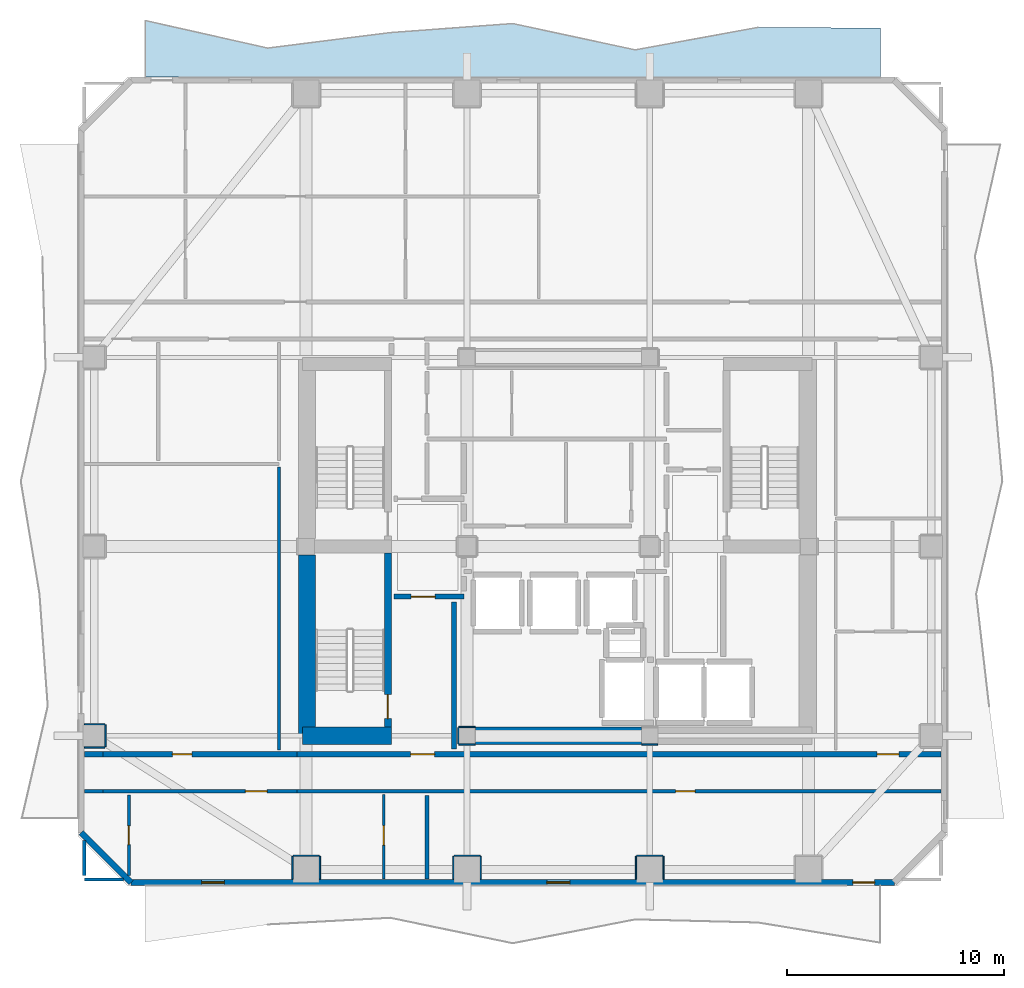
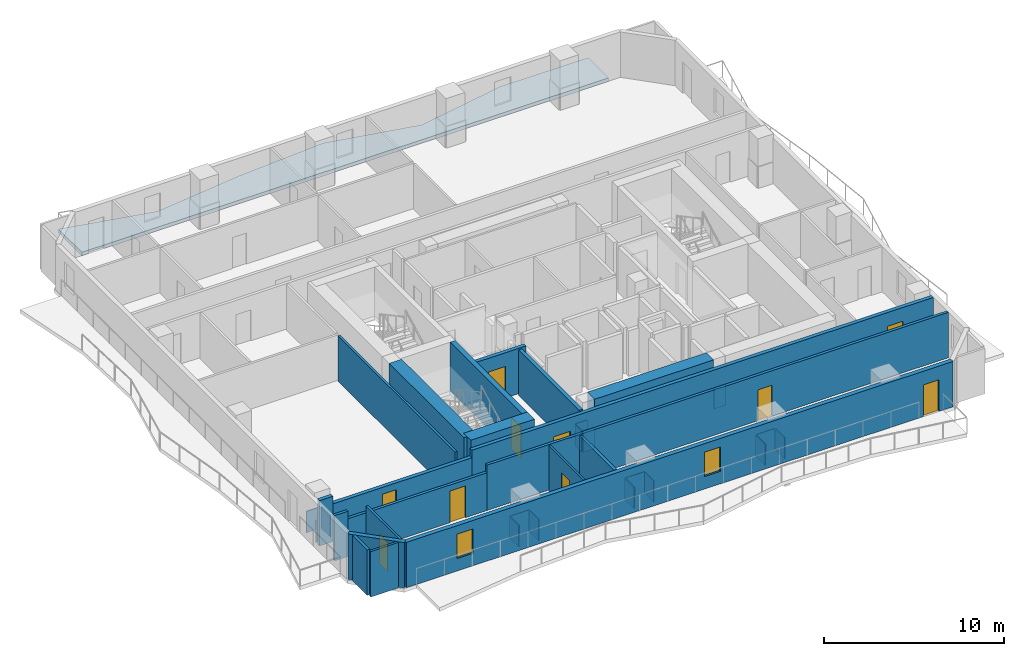
# One storey, part 2 of 10: 36 walls, 10 doors, 2 windows, 1 slab, 12 openings.
"""IFC4 building model written with IfcOpenShell, lengths in metres."""

from ifc_helpers import new_model, si_unit, direction, frame, frame_2d, origin, place, context, subcontext, project, spatial, polyline, rectangle, outline, extrude, material, layer, layer_set, type_object, element, fill, save


model = new_model("IFC4")

# Units and contexts
model_context = context("Model", 3, precision=1e-05, world=origin(), true_north=direction((0.0, 1.0)))
body_context = subcontext(model_context, "Body", "Model", "MODEL_VIEW")
ifc_project = project(units=[si_unit("LENGTHUNIT", "METRE"), si_unit("AREAUNIT", "SQUARE_METRE"), si_unit("VOLUMEUNIT", "CUBIC_METRE"), si_unit("PLANEANGLEUNIT", "RADIAN"), si_unit("MASSUNIT", "GRAM", prefix="KILO")], contexts=[model_context])

# Site, building, storey
site_placement = place(None, origin())
site = spatial("IfcSite", under=ifc_project, at=site_placement, CompositionType="ELEMENT")
building_placement = place(site_placement, origin())
building = spatial("IfcBuilding", under=site, at=building_placement, Name="Solanera Arch Residences", CompositionType="ELEMENT")
storey_placement = place(building_placement, frame((0.0, 0.0, 183.52001953125)))
storey = spatial("IfcBuildingStorey", under=building, at=storey_placement, Name="L53", CompositionType="ELEMENT", Elevation=183.52001953125)

# Slab
ifc_material_1 = material(Name="Concrete C40/50 (f'c = 45 MPa)", Category="concrete")
ifc_layer_1 = layer(ifc_material_1, 0.25)
ifc_layer_set_1 = layer_set([ifc_layer_1], Name="Concrete C40/50 (f'c = 45 MPa)")
slab_type = type_object("IfcSlabType", Name="Balcony Slab 250", PredefinedType="FLOOR", material=ifc_layer_set_1)
slab_placement = place(storey_placement, frame((0.0, 0.0, -0.25)))
element("IfcSlab", 1, at=slab_placement, inside=storey, type_object=slab_type, Name="L53 N Rippling Brise-Soleil Balcony Slab", PredefinedType="FLOOR", context=body_context, shape_type="SweptSolid", body=[
    extrude(outline(polyline([(39.800048828125, 54.5458984375), (34.1669921875, 54.571044921875), (28.532958984375, 53.5390625), (22.89990234375, 54.7490234375), (17.26708984375, 54.3330078125), (11.633056640625, 53.62109375), (6.0, 54.888916015625), (6.0, 52.280029296875), (39.800048828125, 52.280029296875), (39.800048828125, 54.5458984375)])), origin(), (0.0, 0.0, 1.0), 0.25),
])

# Walls
ifc_material_2 = material(Name="Fire-Rated Gypsum Stud Partition", Category="gypsum")
ifc_layer_2 = layer(ifc_material_2, 0.06005859375)
ifc_layer_set_2 = layer_set([ifc_layer_2], Name="Fire-Rated Gypsum Stud Partition")
wall_type_1 = type_object("IfcWallType", Name="Column Acoustic Furring Wall 60", PredefinedType="PARTITIONING", material=ifc_layer_set_2)
for number, where, z_axis, x_axis, name in (
    (2, (20.425048828125, 21.593017578125, 0.0), (0.0, 0.0, 1.0), (1.0, 0.0, 0.0), "L53 Column Furring 1S"),
    (3, (20.425048828125, 22.406982421875, 0.0), (0.0, 0.0, 1.0), (1.0, 0.0, 0.0), "L53 Column Furring 1N"),
):
    element("IfcWall", number, at=place(storey_placement, frame(where, z_axis=z_axis, x_axis=x_axis)), inside=storey, type_object=wall_type_1, Name=name, PredefinedType="PARTITIONING", context=body_context, shape_type="SweptSolid", body=[
        extrude(rectangle(XDim=0.741943359375, YDim=0.06005859375, at=frame_2d((0.37109375, 0.0))), origin(), (0.0, 0.0, 1.0), 1.449951171875),
    ])
wall_1_placement = place(storey_placement, frame((20.39306640625, 21.625, 0.0), z_axis=(0.0, 0.0, 1.0), x_axis=(0.0, 1.0, 0.0)))
element("IfcWall", 4, at=wall_1_placement, inside=storey, type_object=wall_type_1, Name="L53 Column Furring 1W", PredefinedType="PARTITIONING", context=body_context, shape_type="SweptSolid", body=[
    extrude(rectangle(XDim=0.75, YDim=0.06005859375, at=frame_2d((0.375, 0.0))), origin(), (0.0, 0.0, 1.0), 1.449951171875),
])
wall_2_placement = place(storey_placement, frame((28.8330078125, 21.593017578125, 0.0), z_axis=(0.0, 0.0, 1.0), x_axis=(1.0, 0.0, 0.0)))
element("IfcWall", 5, at=wall_2_placement, inside=storey, type_object=wall_type_1, Name="L53 Column Furring 2S", PredefinedType="PARTITIONING", context=body_context, shape_type="SweptSolid", body=[
    extrude(rectangle(XDim=0.73388671875, YDim=0.06005859375, at=frame_2d((0.366943359375, 0.0))), origin(), (0.0, 0.0, 1.0), 1.449951171875),
])
wall_3_placement = place(storey_placement, frame((12.800048828125, 16.48193359375, 0.0), z_axis=(0.0, 0.0, 1.0), x_axis=(1.0, 0.0, 0.0)))
element("IfcWall", 6, at=wall_3_placement, inside=storey, type_object=wall_type_1, Name="L53 Column Furring 9N", PredefinedType="PARTITIONING", context=body_context, shape_type="SweptSolid", body=[
    extrude(rectangle(XDim=1.199951171875, YDim=0.06005859375, at=frame_2d((0.60009765625, 0.0))), origin(), (0.0, 0.0, 1.0), 1.449951171875),
])
for number, where, z_axis, x_axis, name in (
    (7, (12.76806640625, 15.409912109375, 0.0), (0.0, 0.0, 1.0), (0.0, 1.0, 0.0), "L53 Column Furring 9W"),
    (8, (14.031982421875, 15.409912109375, 0.0), (0.0, 0.0, 1.0), (0.0, 1.0, 0.0), "L53 Column Furring 9E"),
):
    element("IfcWall", number, at=place(storey_placement, frame(where, z_axis=z_axis, x_axis=x_axis)), inside=storey, type_object=wall_type_1, Name=name, PredefinedType="PARTITIONING", context=body_context, shape_type="SweptSolid", body=[
        extrude(rectangle(XDim=1.0400390625, YDim=0.06005859375, at=frame_2d((0.52001953125, 0.0))), origin(), (0.0, 0.0, 1.0), 1.449951171875),
    ])
wall_4_placement = place(storey_placement, frame((20.199951171875, 16.48193359375, 0.0), z_axis=(0.0, 0.0, 1.0), x_axis=(1.0, 0.0, 0.0)))
element("IfcWall", 9, at=wall_4_placement, inside=storey, type_object=wall_type_1, Name="L53 Column Furring 11N", PredefinedType="PARTITIONING", context=body_context, shape_type="SweptSolid", body=[
    extrude(rectangle(XDim=1.199951171875, YDim=0.06005859375, at=frame_2d((0.60009765625, 0.0))), origin(), (0.0, 0.0, 1.0), 1.449951171875),
])
for number, where, z_axis, x_axis, name in (
    (10, (20.16796875, 15.409912109375, 0.0), (0.0, 0.0, 1.0), (0.0, 1.0, 0.0), "L53 Column Furring 11W"),
    (11, (21.431884765625, 15.409912109375, 0.0), (0.0, 0.0, 1.0), (0.0, 1.0, 0.0), "L53 Column Furring 11E"),
):
    element("IfcWall", number, at=place(storey_placement, frame(where, z_axis=z_axis, x_axis=x_axis)), inside=storey, type_object=wall_type_1, Name=name, PredefinedType="PARTITIONING", context=body_context, shape_type="SweptSolid", body=[
        extrude(rectangle(XDim=1.0400390625, YDim=0.06005859375, at=frame_2d((0.52001953125, 0.0))), origin(), (0.0, 0.0, 1.0), 1.449951171875),
    ])
wall_5_placement = place(storey_placement, frame((28.60009765625, 16.48193359375, 0.0), z_axis=(0.0, 0.0, 1.0), x_axis=(1.0, 0.0, 0.0)))
element("IfcWall", 12, at=wall_5_placement, inside=storey, type_object=wall_type_1, Name="L53 Column Furring 13N", PredefinedType="PARTITIONING", context=body_context, shape_type="SweptSolid", body=[
    extrude(rectangle(XDim=1.199951171875, YDim=0.06005859375, at=frame_2d((0.60009765625, 0.0))), origin(), (0.0, 0.0, 1.0), 1.449951171875),
])
for number, where, z_axis, x_axis, name in (
    (13, (28.568115234375, 15.409912109375, 0.0), (0.0, 0.0, 1.0), (0.0, 1.0, 0.0), "L53 Column Furring 13W"),
    (14, (29.83203125, 15.409912109375, 0.0), (0.0, 0.0, 1.0), (0.0, 1.0, 0.0), "L53 Column Furring 13E"),
):
    element("IfcWall", number, at=place(storey_placement, frame(where, z_axis=z_axis, x_axis=x_axis)), inside=storey, type_object=wall_type_1, Name=name, PredefinedType="PARTITIONING", context=body_context, shape_type="SweptSolid", body=[
        extrude(rectangle(XDim=1.0400390625, YDim=0.06005859375, at=frame_2d((0.52001953125, 0.0))), origin(), (0.0, 0.0, 1.0), 1.449951171875),
    ])
for number, where, z_axis, x_axis, name in (
    (15, (3.2099609375, 21.468017578125, 0.0), (0.0, 0.0, 1.0), (1.0, 0.0, 0.0), "L53 Column Furring 17S"),
    (16, (3.2099609375, 22.531982421875, 0.0), (0.0, 0.0, 1.0), (1.0, 0.0, 0.0), "L53 Column Furring 17N"),
):
    element("IfcWall", number, at=place(storey_placement, frame(where, z_axis=z_axis, x_axis=x_axis)), inside=storey, type_object=wall_type_1, Name=name, PredefinedType="PARTITIONING", context=body_context, shape_type="SweptSolid", body=[
        extrude(rectangle(XDim=0.93994140625, YDim=0.06005859375, at=frame_2d((0.469970703125, 0.0))), origin(), (0.0, 0.0, 1.0), 1.449951171875),
    ])
wall_6_placement = place(storey_placement, frame((4.181884765625, 21.5, 0.0), z_axis=(0.0, 0.0, 1.0), x_axis=(0.0, 1.0, 0.0)))
element("IfcWall", 17, at=wall_6_placement, inside=storey, type_object=wall_type_1, Name="L53 Column Furring 17E", PredefinedType="PARTITIONING", context=body_context, shape_type="SweptSolid", body=[
    extrude(rectangle(XDim=1.0, YDim=0.06005859375, at=frame_2d((0.5, 0.0))), origin(), (0.0, 0.0, 1.0), 1.449951171875),
])

# Wall, opening, door
ifc_material_3 = material(Name="Concrete C40/50 (f'c = 45 MPa)", Category="concrete")
ifc_layer_3 = layer(ifc_material_3, 0.320068359375)
ifc_layer_set_3 = layer_set([ifc_layer_3], Name="Concrete C40/50 (f'c = 45 MPa)")
wall_type_2 = type_object("IfcWallType", Name="Core Shear Wall CW-320", PredefinedType="SHEAR", material=ifc_layer_set_3)
wall_7_placement = place(storey_placement, frame((17.159912109375, 22.39990234375, 0.0), z_axis=(0.0, 0.0, 1.0), x_axis=(0.0, 1.0, 0.0)))
wall_7 = element("IfcWall", 18, at=wall_7_placement, inside=storey, type_object=wall_type_2, Name="L53 Stair ST-T3 East Shear Wall", PredefinedType="SHEAR", context=body_context, shape_type="SweptSolid", body=[
    extrude(rectangle(XDim=8.0, YDim=0.320068359375, at=frame_2d((4.0, 0.0))), origin(), (0.0, 0.0, 1.0), 3.320068359375),
])
opening_1_placement = place(wall_7_placement, frame((0.389892578125, 0.0, 0.0)))
opening_1 = element("IfcOpeningElement", 19, at=opening_1_placement, cuts=wall_7, Name="Opening DF-01", PredefinedType="OPENING", context=body_context, shape_type="SweptSolid", body=[
    extrude(rectangle(XDim=1.10009765625, YDim=2.14990234375, at=frame_2d((0.550048828125, 1.074951171875))), frame((0.0, 0.169921875, 0.0), z_axis=(0.0, -1.0, 0.0), x_axis=(1.0, 0.0, 0.0)), (0.0, 0.0, 1.0), 0.3401),
])
ifc_material_4 = material(Name="Fire-Rated Architectural Hardwood", Category="wood")
door_type_1 = type_object("IfcDoorType", Name="Stair Exit Fire Door DF-01", OperationType="NOTDEFINED", PredefinedType="DOOR", material=ifc_material_4)
door_1_placement = place(opening_1_placement, origin())
door_1 = element("IfcDoor", 20, at=door_1_placement, inside=storey, type_object=door_type_1, Name="DR-L53-STAIR-ST-T3", OperationType="SINGLE_SWING_RIGHT", OverallHeight=2.14990234375, OverallWidth=1.10009765625, PredefinedType="DOOR", context=body_context, shape_type="SweptSolid", body=[
    extrude(rectangle(XDim=1.10009765625, YDim=2.14990234375, at=frame_2d((0.550048828125, 1.074951171875))), frame((0.0, 0.02490234375, 0.0), z_axis=(0.0, -1.0, 0.0), x_axis=(1.0, 0.0, 0.0)), (0.0, 0.0, 1.0), 0.050048828125),
])
fill(opening_1, door_1)

# Walls
ifc_material_5 = material(Name="Concrete C40/50 (f'c = 45 MPa)", Category="concrete")
ifc_layer_4 = layer(ifc_material_5, 0.800048828125)
ifc_layer_set_4 = layer_set([ifc_layer_4], Name="Concrete C40/50 (f'c = 45 MPa)")
wall_type_3 = type_object("IfcWallType", Name="Core Shear Wall CW-800", PredefinedType="SHEAR", material=ifc_layer_set_4)
wall_8_placement = place(storey_placement, frame((13.43994140625, 22.0, 0.0), z_axis=(0.0, 0.0, 1.0), x_axis=(0.0, 1.0, 0.0)))
element("IfcWall", 21, at=wall_8_placement, inside=storey, type_object=wall_type_3, Name="L53 West Core South Shear Wall", PredefinedType="SHEAR", context=body_context, shape_type="SweptSolid", body=[
    extrude(rectangle(XDim=8.320068359375, YDim=0.800048828125, at=frame_2d((4.16015625, 0.0))), origin(), (0.0, 0.0, 1.0), 3.320068359375),
])
wall_9_placement = place(storey_placement, frame((13.239990234375, 22.0, 0.0), z_axis=(0.0, 0.0, 1.0), x_axis=(1.0, 0.0, 0.0)))
element("IfcWall", 22, at=wall_9_placement, inside=storey, type_object=wall_type_3, Name="L53 South-West Core Shear Wall", PredefinedType="SHEAR", context=body_context, shape_type="SweptSolid", body=[
    extrude(rectangle(XDim=4.080078125, YDim=0.800048828125, at=frame_2d((2.0400390625, 0.0))), origin(), (0.0, 0.0, 1.0), 3.320068359375),
])
wall_10_placement = place(storey_placement, frame((21.179931640625, 22.0, 0.0), z_axis=(0.0, 0.0, 1.0), x_axis=(1.0, 0.0, 0.0)))
element("IfcWall", 23, at=wall_10_placement, inside=storey, type_object=wall_type_3, Name="L53 Central South Core Shear Wall", PredefinedType="SHEAR", context=body_context, shape_type="SweptSolid", body=[
    extrude(rectangle(XDim=7.64013671875, YDim=0.800048828125, at=frame_2d((3.820068359375, 0.0))), origin(), (0.0, 0.0, 1.0), 3.320068359375),
])
ifc_material_6 = material(Name="Autoclaved Aerated Concrete Blockwork", Category="masonry")
ifc_layer_5 = layer(ifc_material_6, 0.179931640625)
ifc_layer_set_5 = layer_set([ifc_layer_5], Name="Autoclaved Aerated Concrete Blockwork")
wall_type_4 = type_object("IfcWallType", Name="Corridor Fire Partition 180", PredefinedType="PARTITIONING", material=ifc_layer_set_5)
wall_11_placement = place(storey_placement, frame((3.20703125, 19.449951171875, 0.0), z_axis=(0.0, 0.0, 1.0), x_axis=(1.0, 0.0, 0.0)))
element("IfcWall", 24, at=wall_11_placement, inside=storey, type_object=wall_type_4, Name="L53 Interior Partition H6 1", PredefinedType="PARTITIONING", context=body_context, shape_type="SweptSolid", body=[
    extrude(rectangle(XDim=0.85986328125, YDim=0.179931640625, at=frame_2d((0.429931640625, 0.0))), origin(), (0.0, 0.0, 1.0), 3.080078125),
])

# Wall, opening, door
wall_12_placement = place(storey_placement, frame((4.06689453125, 19.449951171875, 0.0), z_axis=(0.0, 0.0, 1.0), x_axis=(1.0, 0.0, 0.0)))
wall_12 = element("IfcWall", 25, at=wall_12_placement, inside=storey, type_object=wall_type_4, Name="L53 Interior Partition H6 2", PredefinedType="PARTITIONING", context=body_context, shape_type="SweptSolid", body=[
    extrude(rectangle(XDim=8.916015625, YDim=0.179931640625, at=frame_2d((4.4580078125, 0.0))), origin(), (0.0, 0.0, 1.0), 2.56494140625),
])
opening_2_placement = place(wall_12_placement, frame((6.54296875, 0.0, 0.0)))
opening_2 = element("IfcOpeningElement", 26, at=opening_2_placement, cuts=wall_12, Name="Opening DI-01", PredefinedType="OPENING", context=body_context, shape_type="SweptSolid", body=[
    extrude(rectangle(XDim=1.0, YDim=2.14990234375, at=frame_2d((0.5, 1.074951171875))), frame((0.0, 0.10009765625, 0.0), z_axis=(0.0, -1.0, 0.0), x_axis=(1.0, 0.0, 0.0)), (0.0, 0.0, 1.0), 0.1999),
])
ifc_material_7 = material(Name="Fire-Rated Architectural Hardwood", Category="wood")
door_type_2 = type_object("IfcDoorType", Name="Unit Entrance Fire Door DI-01", OperationType="NOTDEFINED", PredefinedType="DOOR", material=ifc_material_7)
door_2_placement = place(opening_2_placement, origin())
door_2 = element("IfcDoor", 27, at=door_2_placement, inside=storey, type_object=door_type_2, Name="DR-L53-IN-014", OperationType="SINGLE_SWING_LEFT", OverallHeight=2.14990234375, OverallWidth=1.0, PredefinedType="DOOR", context=body_context, shape_type="SweptSolid", body=[
    extrude(rectangle(XDim=1.0, YDim=2.14990234375, at=frame_2d((0.5, 1.074951171875))), frame((0.0, 0.02490234375, 0.0), z_axis=(0.0, -1.0, 0.0), x_axis=(1.0, 0.0, 0.0)), (0.0, 0.0, 1.0), 0.050048828125),
])
fill(opening_2, door_2)

wall_13_placement = place(storey_placement, frame((12.98291015625, 19.449951171875, 0.0), z_axis=(0.0, 0.0, 1.0), x_axis=(1.0, 0.0, 0.0)))
wall_13 = element("IfcWall", 28, at=wall_13_placement, inside=storey, type_object=wall_type_4, Name="L53 Interior Partition H6 3", PredefinedType="PARTITIONING", context=body_context, shape_type="SweptSolid", body=[
    extrude(rectangle(XDim=29.610107421875, YDim=0.179931640625, at=frame_2d((14.80517578125, 0.0))), origin(), (0.0, 0.0, 1.0), 3.080078125),
])
opening_3_placement = place(wall_13_placement, frame((17.403076171875, 0.0, 0.0)))
opening_3 = element("IfcOpeningElement", 29, at=opening_3_placement, cuts=wall_13, Name="Opening DI-02", PredefinedType="OPENING", context=body_context, shape_type="SweptSolid", body=[
    extrude(rectangle(XDim=0.89990234375, YDim=2.10009765625, at=frame_2d((0.449951171875, 1.050048828125))), frame((0.0, 0.10009765625, 0.0), z_axis=(0.0, -1.0, 0.0), x_axis=(1.0, 0.0, 0.0)), (0.0, 0.0, 1.0), 0.1999),
])
ifc_material_8 = material(Name="Fire-Rated Architectural Hardwood", Category="wood")
door_type_3 = type_object("IfcDoorType", Name="Suite Room Swing Door DI-02", OperationType="NOTDEFINED", PredefinedType="DOOR", material=ifc_material_8)
door_3_placement = place(opening_3_placement, origin())
door_3 = element("IfcDoor", 30, at=door_3_placement, inside=storey, type_object=door_type_3, Name="DR-L53-IN-017", OperationType="SINGLE_SWING_RIGHT", OverallHeight=2.10009765625, OverallWidth=0.89990234375, PredefinedType="DOOR", context=body_context, shape_type="SweptSolid", body=[
    extrude(rectangle(XDim=0.89990234375, YDim=2.10009765625, at=frame_2d((0.449951171875, 1.050048828125))), frame((0.0, 0.02490234375, 0.0), z_axis=(0.0, -1.0, 0.0), x_axis=(1.0, 0.0, 0.0)), (0.0, 0.0, 1.0), 0.050048828125),
])
fill(opening_3, door_3)

# Walls
wall_14_placement = place(storey_placement, frame((3.199951171875, 15.568115234375, 0.0), z_axis=(0.0, 0.0, 1.0), x_axis=(0.0, 1.0, 0.0)))
element("IfcWall", 31, at=wall_14_placement, inside=storey, type_object=wall_type_4, Name="L53 Interior Partition V6 1", PredefinedType="PARTITIONING", context=body_context, shape_type="SweptSolid", body=[
    extrude(rectangle(XDim=1.626953125, YDim=0.179931640625, at=frame_2d((0.8134765625, 0.0))), origin(), (0.0, 0.0, 1.0), 3.080078125),
])
wall_15_placement = place(storey_placement, frame((18.949951171875, 15.406982421875, 0.0), z_axis=(0.0, 0.0, 1.0), x_axis=(0.0, 1.0, 0.0)))
element("IfcWall", 32, at=wall_15_placement, inside=storey, type_object=wall_type_4, Name="L53 Interior Partition V7", PredefinedType="PARTITIONING", context=body_context, shape_type="SweptSolid", body=[
    extrude(rectangle(XDim=3.85498046875, YDim=0.179931640625, at=frame_2d((1.927490234375, 0.0))), origin(), (0.0, 0.0, 1.0), 3.080078125),
])

# Wall, openings, door, windows
ifc_material_9 = material(Name="Precast Concrete C35/45", Category="concrete")
ifc_layer_6 = layer(ifc_material_9, 0.280029296875)
ifc_layer_set_6 = layer_set([ifc_layer_6], Name="Precast Concrete C35/45")
wall_type_5 = type_object("IfcWallType", Name="Exterior Wall Precast Masonry-Frame 280", PredefinedType="STANDARD", material=ifc_layer_set_6)
wall_16_placement = place(storey_placement, frame((40.445068359375, 15.2548828125, 0.0), z_axis=(0.0, 0.0, 1.0), x_axis=(-1.0, 0.0, 0.0)))
wall_16 = element("IfcWall", 33, at=wall_16_placement, inside=storey, type_object=wall_type_5, Name="L53 Tower Exterior Precast Masonry-Frame Wall S", PredefinedType="STANDARD", context=body_context, shape_type="SweptSolid", body=[
    extrude(rectangle(XDim=35.090087890625, YDim=0.280029296875, at=frame_2d((17.544921875, 0.0))), origin(), (0.0, 0.0, 1.0), 3.080078125),
])
opening_4_placement = place(wall_16_placement, frame((0.904052734375, 0.0, 0.0)))
opening_4 = element("IfcOpeningElement", 34, at=opening_4_placement, cuts=wall_16, Name="Opening DB-01", PredefinedType="OPENING", context=body_context, shape_type="SweptSolid", body=[
    extrude(rectangle(XDim=1.0, YDim=2.14990234375, at=frame_2d((0.5, 1.074951171875))), frame((0.0, 0.14990234375, 0.0), z_axis=(0.0, -1.0, 0.0), x_axis=(1.0, 0.0, 0.0)), (0.0, 0.0, 1.0), 0.3),
])
opening_5_placement = place(wall_16_placement, frame((30.798095703125, 0.0, 0.85009765625)))
opening_5 = element("IfcOpeningElement", 35, at=opening_5_placement, cuts=wall_16, Name="Opening W-07", PredefinedType="OPENING", context=body_context, shape_type="SweptSolid", body=[
    extrude(rectangle(XDim=1.050048828125, YDim=1.64990234375, at=frame_2d((0.52490234375, 0.824951171875))), frame((0.0, 0.14990234375, 0.0), z_axis=(0.0, -1.0, 0.0), x_axis=(1.0, 0.0, 0.0)), (0.0, 0.0, 1.0), 0.3),
])
opening_6_placement = place(wall_16_placement, frame((14.919921875, 0.0, 0.85009765625)))
opening_6 = element("IfcOpeningElement", 36, at=opening_6_placement, cuts=wall_16, Name="Opening W-07", PredefinedType="OPENING", context=body_context, shape_type="SweptSolid", body=[
    extrude(rectangle(XDim=1.050048828125, YDim=1.64990234375, at=frame_2d((0.52490234375, 0.824951171875))), frame((0.0, 0.14990234375, 0.0), z_axis=(0.0, -1.0, 0.0), x_axis=(1.0, 0.0, 0.0)), (0.0, 0.0, 1.0), 0.3),
])
ifc_material_10 = material(Name="Anodised Aluminium Alloy 6063-T6", Category="aluminium")
door_type_4 = type_object("IfcDoorType", Name="Glazed Balcony Swing Door DB-01", OperationType="NOTDEFINED", PredefinedType="DOOR", material=ifc_material_10)
door_4_placement = place(opening_4_placement, origin())
door_4 = element("IfcDoor", 37, at=door_4_placement, inside=storey, type_object=door_type_4, Name="DR-L53-OUT-01", OperationType="SINGLE_SWING_LEFT", OverallHeight=2.14990234375, OverallWidth=1.0, PredefinedType="DOOR", context=body_context, shape_type="SweptSolid", body=[
    extrude(rectangle(XDim=1.0, YDim=2.14990234375, at=frame_2d((0.5, 1.074951171875))), frame((0.0, 0.02490234375, 0.0), z_axis=(0.0, -1.0, 0.0), x_axis=(1.0, 0.0, 0.0)), (0.0, 0.0, 1.0), 0.050048828125),
])
fill(opening_4, door_4)
ifc_material_11 = material(Name="Double Glazed Low-E Laminated Glass", Category="glass")
window_type = type_object("IfcWindowType", Name="Punched Window W-07", PartitioningType="SINGLE_PANEL", PredefinedType="WINDOW", material=ifc_material_11)
window_1_placement = place(opening_5_placement, origin())
window_1 = element("IfcWindow", 38, at=window_1_placement, inside=storey, type_object=window_type, Name="L53 5301-LIV Punched Window", OverallHeight=1.64990234375, OverallWidth=1.050048828125, PartitioningType="SINGLE_PANEL", PredefinedType="WINDOW", context=body_context, shape_type="SweptSolid", body=[
    extrude(rectangle(XDim=1.050048828125, YDim=1.64990234375, at=frame_2d((0.52490234375, 0.824951171875))), frame((0.0, 0.030029296875, 0.0), z_axis=(0.0, -1.0, 0.0), x_axis=(1.0, 0.0, 0.0)), (0.0, 0.0, 1.0), 0.06005859375),
])
fill(opening_5, window_1)
window_2_placement = place(opening_6_placement, origin())
window_2 = element("IfcWindow", 39, at=window_2_placement, inside=storey, type_object=window_type, Name="L53 AMN-LNG Punched Window", OverallHeight=1.64990234375, OverallWidth=1.050048828125, PartitioningType="SINGLE_PANEL", PredefinedType="WINDOW", context=body_context, shape_type="SweptSolid", body=[
    extrude(rectangle(XDim=1.050048828125, YDim=1.64990234375, at=frame_2d((0.52490234375, 0.824951171875))), frame((0.0, 0.030029296875, 0.0), z_axis=(0.0, -1.0, 0.0), x_axis=(1.0, 0.0, 0.0)), (0.0, 0.0, 1.0), 0.06005859375),
])
fill(opening_6, window_2)

# Walls
wall_17_placement = place(storey_placement, frame((5.35498046875, 15.2548828125, 0.0), z_axis=(0.0, 0.0, 1.0), x_axis=(-0.707106781187, 0.707106781187, 0.0)))
element("IfcWall", 40, at=wall_17_placement, inside=storey, type_object=wall_type_5, Name="L53 Tower Exterior Precast Masonry-Frame Wall CH7", PredefinedType="STANDARD", context=body_context, shape_type="SweptSolid", body=[
    extrude(rectangle(XDim=3.252685546875, YDim=0.280029296875, at=frame_2d((1.62646484375, 0.0))), origin(), (0.0, 0.0, 1.0), 3.080078125),
])
ifc_material_12 = material(Name="Autoclaved Aerated Concrete Blockwork", Category="masonry")
ifc_layer_7 = layer(ifc_material_12, 0.239990234375)
ifc_layer_set_7 = layer_set([ifc_layer_7], Name="Autoclaved Aerated Concrete Blockwork")
wall_type_6 = type_object("IfcWallType", Name="Shaft Wall Fire-Rated 240", PredefinedType="PARTITIONING", material=ifc_layer_set_7)
wall_18_placement = place(storey_placement, frame((3.20703125, 21.14990234375, 0.0), z_axis=(0.0, 0.0, 1.0), x_axis=(1.0, 0.0, 0.0)))
element("IfcWall", 41, at=wall_18_placement, inside=storey, type_object=wall_type_6, Name="L53 Interior Partition H1 1", PredefinedType="PARTITIONING", context=body_context, shape_type="SweptSolid", body=[
    extrude(rectangle(XDim=0.85986328125, YDim=0.239990234375, at=frame_2d((0.429931640625, 0.0))), origin(), (0.0, 0.0, 1.0), 3.080078125),
])

# Wall, opening, door
wall_19_placement = place(storey_placement, frame((4.06689453125, 21.14990234375, 0.0), z_axis=(0.0, 0.0, 1.0), x_axis=(1.0, 0.0, 0.0)))
wall_19 = element("IfcWall", 42, at=wall_19_placement, inside=storey, type_object=wall_type_6, Name="L53 Interior Partition H1 2", PredefinedType="PARTITIONING", context=body_context, shape_type="SweptSolid", body=[
    extrude(rectangle(XDim=8.916015625, YDim=0.239990234375, at=frame_2d((4.4580078125, 0.0))), origin(), (0.0, 0.0, 1.0), 2.56494140625),
])
opening_7_placement = place(wall_19_placement, frame((3.181884765625, 0.0, 0.0)))
opening_7 = element("IfcOpeningElement", 43, at=opening_7_placement, cuts=wall_19, Name="Opening DI-02", PredefinedType="OPENING", context=body_context, shape_type="SweptSolid", body=[
    extrude(rectangle(XDim=0.89990234375, YDim=2.10009765625, at=frame_2d((0.449951171875, 1.050048828125))), frame((0.0, 0.1298828125, 0.0), z_axis=(0.0, -1.0, 0.0), x_axis=(1.0, 0.0, 0.0)), (0.0, 0.0, 1.0), 0.26),
])
door_5_placement = place(opening_7_placement, origin())
door_5 = element("IfcDoor", 44, at=door_5_placement, inside=storey, type_object=door_type_3, Name="DR-L53-IN-025", OperationType="SINGLE_SWING_RIGHT", OverallHeight=2.10009765625, OverallWidth=0.89990234375, PredefinedType="DOOR", context=body_context, shape_type="SweptSolid", body=[
    extrude(rectangle(XDim=0.89990234375, YDim=2.10009765625, at=frame_2d((0.449951171875, 1.050048828125))), frame((0.0, 0.02490234375, 0.0), z_axis=(0.0, -1.0, 0.0), x_axis=(1.0, 0.0, 0.0)), (0.0, 0.0, 1.0), 0.050048828125),
])
fill(opening_7, door_5)

# Wall, openings, doors
wall_20_placement = place(storey_placement, frame((12.98291015625, 21.14990234375, 0.0), z_axis=(0.0, 0.0, 1.0), x_axis=(1.0, 0.0, 0.0)))
wall_20 = element("IfcWall", 45, at=wall_20_placement, inside=storey, type_object=wall_type_6, Name="L53 Interior Partition H1 3", PredefinedType="PARTITIONING", context=body_context, shape_type="SweptSolid", body=[
    extrude(rectangle(XDim=29.610107421875, YDim=0.239990234375, at=frame_2d((14.80517578125, 0.0))), origin(), (0.0, 0.0, 1.0), 3.080078125),
])
opening_8_placement = place(wall_20_placement, frame((5.22705078125, 0.0, 0.0)))
opening_8 = element("IfcOpeningElement", 46, at=opening_8_placement, cuts=wall_20, Name="Opening DF-02", PredefinedType="OPENING", context=body_context, shape_type="SweptSolid", body=[
    extrude(rectangle(XDim=1.10009765625, YDim=2.14990234375, at=frame_2d((0.550048828125, 1.074951171875))), frame((0.0, 0.1298828125, 0.0), z_axis=(0.0, -1.0, 0.0), x_axis=(1.0, 0.0, 0.0)), (0.0, 0.0, 1.0), 0.26),
])
opening_9_placement = place(wall_20_placement, frame((26.66796875, 0.0, 0.0)))
opening_9 = element("IfcOpeningElement", 47, at=opening_9_placement, cuts=wall_20, Name="Opening DI-01", PredefinedType="OPENING", context=body_context, shape_type="SweptSolid", body=[
    extrude(rectangle(XDim=1.0, YDim=2.14990234375, at=frame_2d((0.5, 1.074951171875))), frame((0.0, 0.1298828125, 0.0), z_axis=(0.0, -1.0, 0.0), x_axis=(1.0, 0.0, 0.0)), (0.0, 0.0, 1.0), 0.26),
])
ifc_material_13 = material(Name="Fire-Rated Architectural Hardwood", Category="wood")
door_type_5 = type_object("IfcDoorType", Name="Firefighting Lobby Fire Door DF-02", OperationType="NOTDEFINED", PredefinedType="DOOR", material=ifc_material_13)
door_6_placement = place(opening_8_placement, origin())
door_6 = element("IfcDoor", 48, at=door_6_placement, inside=storey, type_object=door_type_5, Name="DR-L53-IN-008", OperationType="SINGLE_SWING_LEFT", OverallHeight=2.14990234375, OverallWidth=1.10009765625, PredefinedType="DOOR", context=body_context, shape_type="SweptSolid", body=[
    extrude(rectangle(XDim=1.10009765625, YDim=2.14990234375, at=frame_2d((0.550048828125, 1.074951171875))), frame((0.0, 0.02490234375, 0.0), z_axis=(0.0, -1.0, 0.0), x_axis=(1.0, 0.0, 0.0)), (0.0, 0.0, 1.0), 0.050048828125),
])
fill(opening_8, door_6)
door_7_placement = place(opening_9_placement, origin())
door_7 = element("IfcDoor", 49, at=door_7_placement, inside=storey, type_object=door_type_2, Name="DR-L53-IN-028", OperationType="SINGLE_SWING_LEFT", OverallHeight=2.14990234375, OverallWidth=1.0, PredefinedType="DOOR", context=body_context, shape_type="SweptSolid", body=[
    extrude(rectangle(XDim=1.0, YDim=2.14990234375, at=frame_2d((0.5, 1.074951171875))), frame((0.0, 0.02490234375, 0.0), z_axis=(0.0, -1.0, 0.0), x_axis=(1.0, 0.0, 0.0)), (0.0, 0.0, 1.0), 0.050048828125),
])
fill(opening_9, door_7)

# Wall, opening, door
wall_21_placement = place(storey_placement, frame((17.449951171875, 28.39990234375, 0.0), z_axis=(0.0, 0.0, 1.0), x_axis=(1.0, 0.0, 0.0)))
wall_21 = element("IfcWall", 50, at=wall_21_placement, inside=storey, type_object=wall_type_6, Name="L53 Interior Partition H3", PredefinedType="PARTITIONING", context=body_context, shape_type="SweptSolid", body=[
    extrude(rectangle(XDim=3.199951171875, YDim=0.239990234375, at=frame_2d((1.60009765625, 0.0))), origin(), (0.0, 0.0, 1.0), 3.080078125),
])
opening_10_placement = place(wall_21_placement, frame((0.783935546875, 0.0, 0.0)))
opening_10 = element("IfcOpeningElement", 51, at=opening_10_placement, cuts=wall_21, Name="Opening DF-02", PredefinedType="OPENING", context=body_context, shape_type="SweptSolid", body=[
    extrude(rectangle(XDim=1.10009765625, YDim=2.14990234375, at=frame_2d((0.550048828125, 1.074951171875))), frame((0.0, 0.1298828125, 0.0), z_axis=(0.0, -1.0, 0.0), x_axis=(1.0, 0.0, 0.0)), (0.0, 0.0, 1.0), 0.26),
])
door_8_placement = place(opening_10_placement, origin())
door_8 = element("IfcDoor", 52, at=door_8_placement, inside=storey, type_object=door_type_5, Name="DR-L53-IN-004", OperationType="SINGLE_SWING_LEFT", OverallHeight=2.14990234375, OverallWidth=1.10009765625, PredefinedType="DOOR", context=body_context, shape_type="SweptSolid", body=[
    extrude(rectangle(XDim=1.10009765625, YDim=2.14990234375, at=frame_2d((0.550048828125, 1.074951171875))), frame((0.0, 0.02490234375, 0.0), z_axis=(0.0, -1.0, 0.0), x_axis=(1.0, 0.0, 0.0)), (0.0, 0.0, 1.0), 0.050048828125),
])
fill(opening_10, door_8)

# Wall
wall_22_placement = place(storey_placement, frame((20.199951171875, 21.39794921875, 0.0), z_axis=(0.0, 0.0, 1.0), x_axis=(0.0, 1.0, 0.0)))
element("IfcWall", 53, at=wall_22_placement, inside=storey, type_object=wall_type_6, Name="L53 Interior Partition V2", PredefinedType="PARTITIONING", context=body_context, shape_type="SweptSolid", body=[
    extrude(rectangle(XDim=6.754150390625, YDim=0.239990234375, at=frame_2d((3.376953125, 0.0))), origin(), (0.0, 0.0, 1.0), 3.080078125),
])

# Wall, opening, door
ifc_material_14 = material(Name="Fire-Rated Gypsum Stud Partition", Category="gypsum")
ifc_layer_8 = layer(ifc_material_14, 0.1201171875)
ifc_layer_set_8 = layer_set([ifc_layer_8], Name="Fire-Rated Gypsum Stud Partition")
wall_type_7 = type_object("IfcWallType", Name="Unit Drywall Partition 120", PredefinedType="PARTITIONING", material=ifc_layer_set_8)
wall_23_placement = place(storey_placement, frame((16.969970703125, 15.406982421875, 0.0), z_axis=(0.0, 0.0, 1.0), x_axis=(0.0, 1.0, 0.0)))
wall_23 = element("IfcWall", 54, at=wall_23_placement, inside=storey, type_object=wall_type_7, Name="L53 Interior Partition V16", PredefinedType="PARTITIONING", context=body_context, shape_type="SweptSolid", body=[
    extrude(rectangle(XDim=3.885009765625, YDim=0.1201171875, at=frame_2d((1.9423828125, 0.0))), origin(), (0.0, 0.0, 1.0), 3.080078125),
])
opening_11_placement = place(wall_23_placement, frame((1.568115234375, 0.0, 0.0)))
opening_11 = element("IfcOpeningElement", 55, at=opening_11_placement, cuts=wall_23, Name="Opening DI-02", PredefinedType="OPENING", context=body_context, shape_type="SweptSolid", body=[
    extrude(rectangle(XDim=0.89990234375, YDim=2.10009765625, at=frame_2d((0.449951171875, 1.050048828125))), frame((0.0, 0.070068359375, 0.0), z_axis=(0.0, -1.0, 0.0), x_axis=(1.0, 0.0, 0.0)), (0.0, 0.0, 1.0), 0.1401),
])
door_9_placement = place(opening_11_placement, origin())
door_9 = element("IfcDoor", 56, at=door_9_placement, inside=storey, type_object=door_type_3, Name="DR-L53-IN-016", OperationType="SINGLE_SWING_LEFT", OverallHeight=2.10009765625, OverallWidth=0.89990234375, PredefinedType="DOOR", context=body_context, shape_type="SweptSolid", body=[
    extrude(rectangle(XDim=0.89990234375, YDim=2.10009765625, at=frame_2d((0.449951171875, 1.050048828125))), frame((0.0, 0.02490234375, 0.0), z_axis=(0.0, -1.0, 0.0), x_axis=(1.0, 0.0, 0.0)), (0.0, 0.0, 1.0), 0.050048828125),
])
fill(opening_11, door_9)

# Wall
ifc_material_15 = material(Name="Autoclaved Aerated Concrete Blockwork", Category="masonry")
ifc_layer_9 = layer(ifc_material_15, 0.139892578125)
ifc_layer_set_9 = layer_set([ifc_layer_9], Name="Autoclaved Aerated Concrete Blockwork")
wall_type_8 = type_object("IfcWallType", Name="Wet-Room Partition 140", PredefinedType="PARTITIONING", material=ifc_layer_set_9)
wall_24_placement = place(storey_placement, frame((3.199951171875, 15.39990234375, 0.0), z_axis=(0.0, 0.0, 1.0), x_axis=(1.0, 0.0, 0.0)))
element("IfcWall", 57, at=wall_24_placement, inside=storey, type_object=wall_type_8, Name="L53 Interior Partition H13 1", PredefinedType="PARTITIONING", context=body_context, shape_type="SweptSolid", body=[
    extrude(rectangle(XDim=1.795166015625, YDim=0.139892578125, at=frame_2d((0.8974609375, 0.0))), origin(), (0.0, 0.0, 1.0), 3.080078125),
])

# Wall, opening, door
wall_25_placement = place(storey_placement, frame((5.25, 15.574951171875, 0.0), z_axis=(0.0, 0.0, 1.0), x_axis=(0.0, 1.0, 0.0)))
wall_25 = element("IfcWall", 58, at=wall_25_placement, inside=storey, type_object=wall_type_8, Name="L53 Interior Partition V11", PredefinedType="PARTITIONING", context=body_context, shape_type="SweptSolid", body=[
    extrude(rectangle(XDim=3.70703125, YDim=0.139892578125, at=frame_2d((1.853515625, 0.0))), origin(), (0.0, 0.0, 1.0), 3.080078125),
])
opening_12_placement = place(wall_25_placement, frame((1.419921875, 0.0, 0.0)))
opening_12 = element("IfcOpeningElement", 59, at=opening_12_placement, cuts=wall_25, Name="Opening DI-05", PredefinedType="OPENING", context=body_context, shape_type="SweptSolid", body=[
    extrude(rectangle(XDim=0.860107421875, YDim=2.02001953125, at=frame_2d((0.43017578125, 1.010009765625))), frame((0.0, 0.079833984375, 0.0), z_axis=(0.0, -1.0, 0.0), x_axis=(1.0, 0.0, 0.0)), (0.0, 0.0, 1.0), 0.1599),
])
ifc_material_16 = material(Name="Fire-Rated Architectural Hardwood", Category="wood")
door_type_6 = type_object("IfcDoorType", Name="Bathroom Swing Door DI-05", OperationType="NOTDEFINED", PredefinedType="DOOR", material=ifc_material_16)
door_10_placement = place(opening_12_placement, origin())
door_10 = element("IfcDoor", 60, at=door_10_placement, inside=storey, type_object=door_type_6, Name="DR-L53-IN-015", OperationType="SINGLE_SWING_RIGHT", OverallHeight=2.02001953125, OverallWidth=0.860107421875, PredefinedType="DOOR", context=body_context, shape_type="SweptSolid", body=[
    extrude(rectangle(XDim=0.860107421875, YDim=2.02001953125, at=frame_2d((0.43017578125, 1.010009765625))), frame((0.0, 0.02490234375, 0.0), z_axis=(0.0, -1.0, 0.0), x_axis=(1.0, 0.0, 0.0)), (0.0, 0.0, 1.0), 0.050048828125),
])
fill(opening_12, door_10)

# Wall
wall_26_placement = place(storey_placement, frame((12.14990234375, 21.347900390625, 0.0), z_axis=(0.0, 0.0, 1.0), x_axis=(0.0, 1.0, 0.0)))
element("IfcWall", 61, at=wall_26_placement, inside=storey, type_object=wall_type_8, Name="L53 Interior Partition V14 1", PredefinedType="PARTITIONING", context=body_context, shape_type="SweptSolid", body=[
    extrude(rectangle(XDim=13.004150390625, YDim=0.139892578125, at=frame_2d((6.501953125, 0.0))), origin(), (0.0, 0.0, 1.0), 3.080078125),
])

save(model, "model.ifc")
